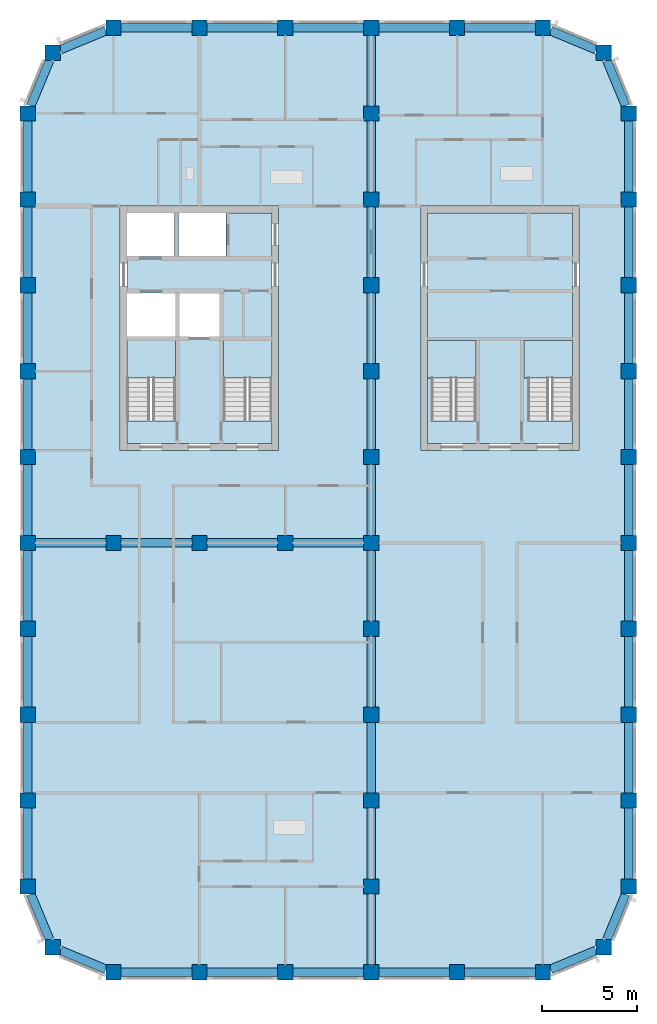
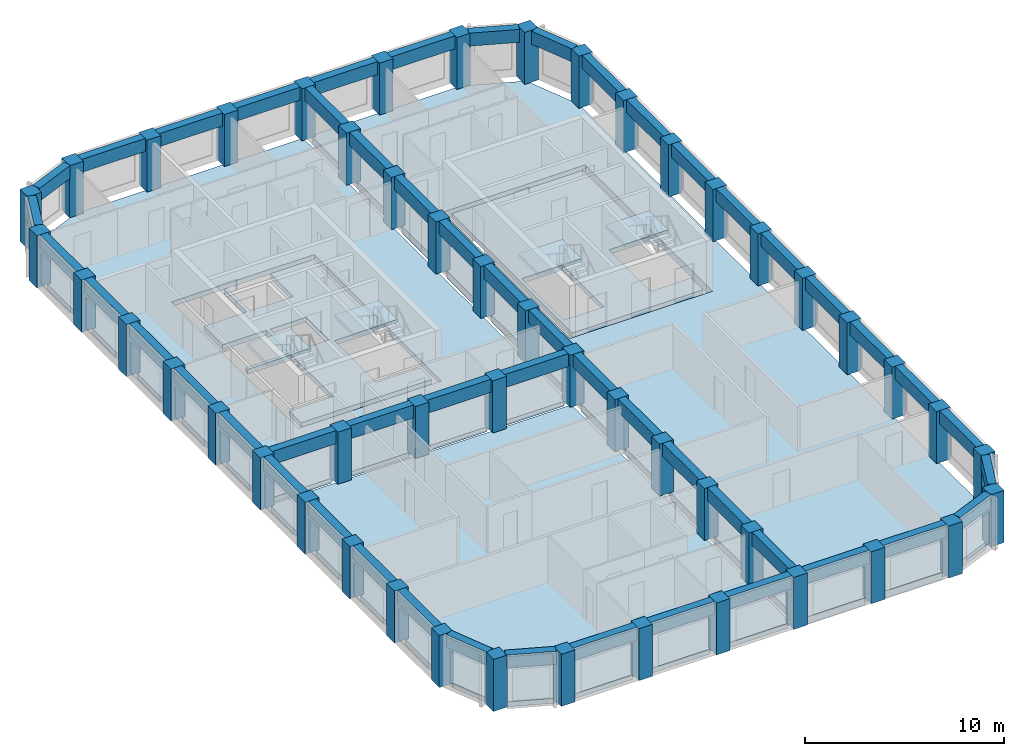
# One storey, part 1 of 9: 51 beams, 49 columns, 9 slabs, 4 elements without a shape of their own.
"""IFC4 building model written with IfcOpenShell, lengths in metres."""

from ifc_helpers import new_model, si_unit, direction, frame, origin, origin_2d, place, context, subcontext, project, spatial, polyline, rectangle, outline, extrude, material, layer, layer_set, material_profile, profile_set, type_object, element, aggregate, save


model = new_model("IFC4")

# Units and contexts
model_context = context("Model", 3, precision=1e-05, world=origin(), true_north=direction((0.0, 1.0)))
body_context = subcontext(model_context, "Body", "Model", "MODEL_VIEW")
ifc_project = project(units=[si_unit("LENGTHUNIT", "METRE"), si_unit("AREAUNIT", "SQUARE_METRE"), si_unit("VOLUMEUNIT", "CUBIC_METRE"), si_unit("PLANEANGLEUNIT", "RADIAN"), si_unit("MASSUNIT", "GRAM", prefix="KILO")], contexts=[model_context])

# Site, building, storey
site_placement = place(None, origin())
site = spatial("IfcSite", under=ifc_project, at=site_placement, CompositionType="ELEMENT")
building_placement = place(site_placement, origin())
building = spatial("IfcBuilding", under=site, at=building_placement, Name="Girih Gate Residences", CompositionType="ELEMENT")
storey_placement = place(building_placement, frame((0.0, 0.0, 206.89501953125)))
storey = spatial("IfcBuildingStorey", under=building, at=storey_placement, Name="L57", CompositionType="ELEMENT", Elevation=206.89501953125)

# Columns
ifc_material_1 = material(Name="Concrete C60/75", Category="concrete")
ifc_material_profile_1 = material_profile(ifc_material_1, rectangle(XDim=0.800048828125, YDim=0.800048828125, at=origin_2d()))
ifc_profile_set_1 = profile_set([ifc_material_profile_1], Name="Concrete C60/75")
column_type = type_object("IfcColumnType", Name="Pier RC 800x800 Concrete C60/75", PredefinedType="COLUMN", material=ifc_profile_set_1)
for number, where, z_axis, x_axis, name in (
    (1, (4.5, 0.0, 0.0), (0.0, 0.0, 1.0), (1.0, 0.0, 0.0), "Pier P2A L57"),
    (2, (9.0, 0.0, 0.0), (0.0, 0.0, 1.0), (1.0, 0.0, 0.0), "Pier P3A L57"),
    (3, (13.5, 0.0, 0.0), (0.0, 0.0, 1.0), (1.0, 0.0, 0.0), "Pier P4A L57"),
    (4, (18.0, 0.0, 0.0), (0.0, 0.0, 1.0), (1.0, 0.0, 0.0), "Pier P5A L57"),
    (5, (22.5, 0.0, 0.0), (0.0, 0.0, 1.0), (1.0, 0.0, 0.0), "Pier P6A L57"),
    (6, (27.0, 0.0, 0.0), (0.0, 0.0, 1.0), (1.0, 0.0, 0.0), "Pier P7A L57"),
    (7, (1.318115234375, 1.318115234375, 0.0), (0.0, 0.0, 1.0), (1.0, 0.0, 0.0), "Pier P1ANE L57"),
    (8, (30.181884765625, 1.318115234375, 0.0), (0.0, 0.0, 1.0), (1.0, 0.0, 0.0), "Pier P8ANW L57"),
    (9, (0.0, 4.5, 0.0), (0.0, 0.0, 1.0), (1.0, 0.0, 0.0), "Pier P1B L57"),
    (10, (18.0, 4.5, 0.0), (0.0, 0.0, 1.0), (1.0, 0.0, 0.0), "Pier P5B L57"),
    (11, (31.5, 4.5, 0.0), (0.0, 0.0, 1.0), (1.0, 0.0, 0.0), "Pier P8B L57"),
    (12, (0.0, 9.0, 0.0), (0.0, 0.0, 1.0), (1.0, 0.0, 0.0), "Pier P1C L57"),
    (13, (18.0, 9.0, 0.0), (0.0, 0.0, 1.0), (1.0, 0.0, 0.0), "Pier P5C L57"),
    (14, (31.5, 9.0, 0.0), (0.0, 0.0, 1.0), (1.0, 0.0, 0.0), "Pier P8C L57"),
    (15, (0.0, 13.5, 0.0), (0.0, 0.0, 1.0), (1.0, 0.0, 0.0), "Pier P1D L57"),
    (16, (18.0, 13.5, 0.0), (0.0, 0.0, 1.0), (1.0, 0.0, 0.0), "Pier P5D L57"),
    (17, (31.5, 13.5, 0.0), (0.0, 0.0, 1.0), (1.0, 0.0, 0.0), "Pier P8D L57"),
    (18, (0.0, 18.0, 0.0), (0.0, 0.0, 1.0), (1.0, 0.0, 0.0), "Pier P1E L57"),
    (19, (18.0, 18.0, 0.0), (0.0, 0.0, 1.0), (1.0, 0.0, 0.0), "Pier P5E L57"),
    (20, (31.5, 18.0, 0.0), (0.0, 0.0, 1.0), (1.0, 0.0, 0.0), "Pier P8E L57"),
    (21, (0.0, 22.5, 0.0), (0.0, 0.0, 1.0), (1.0, 0.0, 0.0), "Pier P1F L57"),
    (22, (4.5, 22.5, 0.0), (0.0, 0.0, 1.0), (1.0, 0.0, 0.0), "Pier P2F L57"),
    (23, (9.0, 22.5, 0.0), (0.0, 0.0, 1.0), (1.0, 0.0, 0.0), "Pier P3F L57"),
    (24, (13.5, 22.5, 0.0), (0.0, 0.0, 1.0), (1.0, 0.0, 0.0), "Pier P4F L57"),
    (25, (18.0, 22.5, 0.0), (0.0, 0.0, 1.0), (1.0, 0.0, 0.0), "Pier P5F L57"),
    (26, (31.5, 22.5, 0.0), (0.0, 0.0, 1.0), (1.0, 0.0, 0.0), "Pier P8F L57"),
    (27, (0.0, 27.0, 0.0), (0.0, 0.0, 1.0), (1.0, 0.0, 0.0), "Pier P1G L57"),
    (28, (18.0, 27.0, 0.0), (0.0, 0.0, 1.0), (1.0, 0.0, 0.0), "Pier P5G L57"),
    (29, (31.5, 27.0, 0.0), (0.0, 0.0, 1.0), (1.0, 0.0, 0.0), "Pier P8G L57"),
    (30, (0.0, 31.5, 0.0), (0.0, 0.0, 1.0), (1.0, 0.0, 0.0), "Pier P1H L57"),
    (31, (18.0, 31.5, 0.0), (0.0, 0.0, 1.0), (1.0, 0.0, 0.0), "Pier P5H L57"),
    (32, (31.5, 31.5, 0.0), (0.0, 0.0, 1.0), (1.0, 0.0, 0.0), "Pier P8H L57"),
    (33, (0.0, 36.0, 0.0), (0.0, 0.0, 1.0), (1.0, 0.0, 0.0), "Pier P1I L57"),
    (34, (18.0, 36.0, 0.0), (0.0, 0.0, 1.0), (1.0, 0.0, 0.0), "Pier P5I L57"),
    (35, (31.5, 36.0, 0.0), (0.0, 0.0, 1.0), (1.0, 0.0, 0.0), "Pier P8I L57"),
    (36, (0.0, 40.5, 0.0), (0.0, 0.0, 1.0), (1.0, 0.0, 0.0), "Pier P1J L57"),
    (37, (18.0, 40.5, 0.0), (0.0, 0.0, 1.0), (1.0, 0.0, 0.0), "Pier P5J L57"),
    (38, (31.5, 40.5, 0.0), (0.0, 0.0, 1.0), (1.0, 0.0, 0.0), "Pier P8J L57"),
    (39, (0.0, 45.0, 0.0), (0.0, 0.0, 1.0), (1.0, 0.0, 0.0), "Pier P1K L57"),
    (40, (18.0, 45.0, 0.0), (0.0, 0.0, 1.0), (1.0, 0.0, 0.0), "Pier P5K L57"),
    (41, (31.5, 45.0, 0.0), (0.0, 0.0, 1.0), (1.0, 0.0, 0.0), "Pier P8K L57"),
    (42, (1.318115234375, 48.181884765625, 0.0), (0.0, 0.0, 1.0), (1.0, 0.0, 0.0), "Pier P1LSE L57"),
    (43, (30.181884765625, 48.181884765625, 0.0), (0.0, 0.0, 1.0), (1.0, 0.0, 0.0), "Pier P8LSW L57"),
    (44, (4.5, 49.5, 0.0), (0.0, 0.0, 1.0), (1.0, 0.0, 0.0), "Pier P2L L57"),
    (45, (9.0, 49.5, 0.0), (0.0, 0.0, 1.0), (1.0, 0.0, 0.0), "Pier P3L L57"),
    (46, (13.5, 49.5, 0.0), (0.0, 0.0, 1.0), (1.0, 0.0, 0.0), "Pier P4L L57"),
    (47, (18.0, 49.5, 0.0), (0.0, 0.0, 1.0), (1.0, 0.0, 0.0), "Pier P5L L57"),
    (48, (22.5, 49.5, 0.0), (0.0, 0.0, 1.0), (1.0, 0.0, 0.0), "Pier P6L L57"),
    (49, (27.0, 49.5, 0.0), (0.0, 0.0, 1.0), (1.0, 0.0, 0.0), "Pier P7L L57"),
):
    element("IfcColumn", number, at=place(storey_placement, frame(where, z_axis=z_axis, x_axis=x_axis)), inside=storey, type_object=column_type, Name=name, PredefinedType="COLUMN", context=body_context, shape_type="SweptSolid", body=[
        extrude(rectangle(XDim=0.800048828125, YDim=0.800048828125, at=origin_2d()), origin(), (0.0, 0.0, 1.0), 3.199951171875),
    ])

# Beams
ifc_material_profile_2 = material_profile(ifc_material_1, rectangle(XDim=0.449951171875, YDim=0.800048828125, at=origin_2d()))
ifc_profile_set_2 = profile_set([ifc_material_profile_2], Name="Concrete C60/75")
beam_type = type_object("IfcBeamType", Name="Spandrel girder RC 450x800 Concrete C60/75", PredefinedType="BEAM", material=ifc_profile_set_2)
for number, where, z_axis, x_axis, name in (
    (50, (27.39990234375, 0.165771484375, 2.800048828125), (0.923895659062, 0.382644497107, 0.0), (-0.382644497107, 0.923895659062, 0.0), "Spandrel girder SP-P7A-P8ANW L57"),
    (51, (30.34765625, 1.718017578125, 2.800048828125), (0.382644497107, 0.923895659062, 0.0), (-0.923895659062, 0.382644497107, 0.0), "Spandrel girder SP-P8ANW-P8B L57"),
):
    element("IfcBeam", number, at=place(storey_placement, frame(where, z_axis=z_axis, x_axis=x_axis)), inside=storey, type_object=beam_type, Name=name, PredefinedType="BEAM", context=body_context, shape_type="SweptSolid", body=[
        extrude(rectangle(XDim=0.449951171875, YDim=0.800048828125, at=origin_2d()), origin(), (0.0, 0.0, 1.0), 2.578369140625),
    ])
for number, where, z_axis, x_axis, name in (
    (52, (31.5, 4.89990234375, 2.800048828125), (0.0, 1.0, 0.0), (-1.0, 0.0, 0.0), "Spandrel girder SP-P8B-P8C L57"),
    (53, (31.5, 9.39990234375, 2.800048828125), (0.0, 1.0, 0.0), (-1.0, 0.0, 0.0), "Spandrel girder SP-P8C-P8D L57"),
    (54, (31.5, 13.89990234375, 2.800048828125), (0.0, 1.0, 0.0), (-1.0, 0.0, 0.0), "Spandrel girder SP-P8D-P8E L57"),
    (55, (31.5, 18.39990234375, 2.800048828125), (0.0, 1.0, 0.0), (-1.0, 0.0, 0.0), "Spandrel girder SP-P8E-P8F L57"),
    (56, (31.5, 22.89990234375, 2.800048828125), (0.0, 1.0, 0.0), (-1.0, 0.0, 0.0), "Spandrel girder SP-P8F-P8G L57"),
    (57, (31.5, 27.39990234375, 2.800048828125), (0.0, 1.0, 0.0), (-1.0, 0.0, 0.0), "Spandrel girder SP-P8G-P8H L57"),
    (58, (31.5, 31.89990234375, 2.800048828125), (0.0, 1.0, 0.0), (-1.0, 0.0, 0.0), "Spandrel girder SP-P8H-P8I L57"),
    (59, (31.5, 36.39990234375, 2.800048828125), (0.0, 1.0, 0.0), (-1.0, 0.0, 0.0), "Spandrel girder SP-P8I-P8J L57"),
    (60, (31.5, 40.89990234375, 2.800048828125), (0.0, 1.0, 0.0), (-1.0, 0.0, 0.0), "Spandrel girder SP-P8J-P8K L57"),
):
    element("IfcBeam", number, at=place(storey_placement, frame(where, z_axis=z_axis, x_axis=x_axis)), inside=storey, type_object=beam_type, Name=name, PredefinedType="BEAM", context=body_context, shape_type="SweptSolid", body=[
        extrude(rectangle(XDim=0.449951171875, YDim=0.800048828125, at=origin_2d()), origin(), (0.0, 0.0, 1.0), 3.7001953125),
    ])
for number, where, z_axis, x_axis, name in (
    (61, (31.334228515625, 45.39990234375, 2.800048828125), (-0.382644497107, 0.923895659062, 0.0), (-0.923895659062, -0.382644497107, 0.0), "Spandrel girder SP-P8K-P8LSW L57"),
    (62, (29.781982421875, 48.34765625, 2.800048828125), (-0.923895659062, 0.382644497107, 0.0), (-0.382644497107, -0.923895659062, 0.0), "Spandrel girder SP-P8LSW-P7L L57"),
):
    element("IfcBeam", number, at=place(storey_placement, frame(where, z_axis=z_axis, x_axis=x_axis)), inside=storey, type_object=beam_type, Name=name, PredefinedType="BEAM", context=body_context, shape_type="SweptSolid", body=[
        extrude(rectangle(XDim=0.449951171875, YDim=0.800048828125, at=origin_2d()), origin(), (0.0, 0.0, 1.0), 2.578369140625),
    ])
for number, where, z_axis, x_axis, name in (
    (63, (26.60009765625, 49.5, 2.800048828125), (-1.0, 0.0, 0.0), (0.0, -1.0, 0.0), "Spandrel girder SP-P7L-P6L L57"),
    (64, (22.10009765625, 49.5, 2.800048828125), (-1.0, 0.0, 0.0), (0.0, -1.0, 0.0), "Spandrel girder SP-P6L-P5L L57"),
    (65, (17.60009765625, 49.5, 2.800048828125), (-1.0, 0.0, 0.0), (0.0, -1.0, 0.0), "Spandrel girder SP-P5L-P4L L57"),
    (66, (13.10009765625, 49.5, 2.800048828125), (-1.0, 0.0, 0.0), (0.0, -1.0, 0.0), "Spandrel girder SP-P4L-P3L L57"),
    (67, (8.60009765625, 49.5, 2.800048828125), (-1.0, 0.0, 0.0), (0.0, -1.0, 0.0), "Spandrel girder SP-P3L-P2L L57"),
):
    element("IfcBeam", number, at=place(storey_placement, frame(where, z_axis=z_axis, x_axis=x_axis)), inside=storey, type_object=beam_type, Name=name, PredefinedType="BEAM", context=body_context, shape_type="SweptSolid", body=[
        extrude(rectangle(XDim=0.449951171875, YDim=0.800048828125, at=origin_2d()), origin(), (0.0, 0.0, 1.0), 3.7001953125),
    ])
for number, where, z_axis, x_axis, name in (
    (68, (4.10009765625, 49.334228515625, 2.800048828125), (-0.923895659062, -0.382644497107, 0.0), (0.382644497107, -0.923895659062, 0.0), "Spandrel girder SP-P2L-P1LSE L57"),
    (69, (1.15234375, 47.781982421875, 2.800048828125), (-0.382644497107, -0.923895659062, 0.0), (0.923895659062, -0.382644497107, 0.0), "Spandrel girder SP-P1LSE-P1K L57"),
):
    element("IfcBeam", number, at=place(storey_placement, frame(where, z_axis=z_axis, x_axis=x_axis)), inside=storey, type_object=beam_type, Name=name, PredefinedType="BEAM", context=body_context, shape_type="SweptSolid", body=[
        extrude(rectangle(XDim=0.449951171875, YDim=0.800048828125, at=origin_2d()), origin(), (0.0, 0.0, 1.0), 2.578369140625),
    ])
for number, where, z_axis, x_axis, name in (
    (70, (0.0, 44.60009765625, 2.800048828125), (0.0, -1.0, 0.0), (1.0, 0.0, 0.0), "Spandrel girder SP-P1K-P1J L57"),
    (71, (0.0, 40.10009765625, 2.800048828125), (0.0, -1.0, 0.0), (1.0, 0.0, 0.0), "Spandrel girder SP-P1J-P1I L57"),
    (72, (0.0, 35.60009765625, 2.800048828125), (0.0, -1.0, 0.0), (1.0, 0.0, 0.0), "Spandrel girder SP-P1I-P1H L57"),
    (73, (0.0, 31.10009765625, 2.800048828125), (0.0, -1.0, 0.0), (1.0, 0.0, 0.0), "Spandrel girder SP-P1H-P1G L57"),
    (74, (0.0, 26.60009765625, 2.800048828125), (0.0, -1.0, 0.0), (1.0, 0.0, 0.0), "Spandrel girder SP-P1G-P1F L57"),
    (75, (0.0, 22.10009765625, 2.800048828125), (0.0, -1.0, 0.0), (1.0, 0.0, 0.0), "Spandrel girder SP-P1F-P1E L57"),
    (76, (0.0, 17.60009765625, 2.800048828125), (0.0, -1.0, 0.0), (1.0, 0.0, 0.0), "Spandrel girder SP-P1E-P1D L57"),
    (77, (0.0, 13.10009765625, 2.800048828125), (0.0, -1.0, 0.0), (1.0, 0.0, 0.0), "Spandrel girder SP-P1D-P1C L57"),
    (78, (0.0, 8.60009765625, 2.800048828125), (0.0, -1.0, 0.0), (1.0, 0.0, 0.0), "Spandrel girder SP-P1C-P1B L57"),
):
    element("IfcBeam", number, at=place(storey_placement, frame(where, z_axis=z_axis, x_axis=x_axis)), inside=storey, type_object=beam_type, Name=name, PredefinedType="BEAM", context=body_context, shape_type="SweptSolid", body=[
        extrude(rectangle(XDim=0.449951171875, YDim=0.800048828125, at=origin_2d()), origin(), (0.0, 0.0, 1.0), 3.7001953125),
    ])
for number, where, z_axis, x_axis, name in (
    (79, (0.165771484375, 4.10009765625, 2.800048828125), (0.382644497107, -0.923895659062, 0.0), (0.923895659062, 0.382644497107, 0.0), "Spandrel girder SP-P1B-P1ANE L57"),
    (80, (1.718017578125, 1.15234375, 2.800048828125), (0.923895659062, -0.382644497107, 0.0), (0.382644497107, 0.923895659062, 0.0), "Spandrel girder SP-P1ANE-P2A L57"),
):
    element("IfcBeam", number, at=place(storey_placement, frame(where, z_axis=z_axis, x_axis=x_axis)), inside=storey, type_object=beam_type, Name=name, PredefinedType="BEAM", context=body_context, shape_type="SweptSolid", body=[
        extrude(rectangle(XDim=0.449951171875, YDim=0.800048828125, at=origin_2d()), origin(), (0.0, 0.0, 1.0), 2.578369140625),
    ])
for number, where, z_axis, x_axis, name in (
    (81, (4.89990234375, 0.0, 2.800048828125), (1.0, 0.0, 0.0), (0.0, 1.0, 0.0), "Spandrel girder SP-P2A-P3A L57"),
    (82, (9.39990234375, 0.0, 2.800048828125), (1.0, 0.0, 0.0), (0.0, 1.0, 0.0), "Spandrel girder SP-P3A-P4A L57"),
    (83, (13.89990234375, 0.0, 2.800048828125), (1.0, 0.0, 0.0), (0.0, 1.0, 0.0), "Spandrel girder SP-P4A-P5A L57"),
    (84, (18.39990234375, 0.0, 2.800048828125), (1.0, 0.0, 0.0), (0.0, 1.0, 0.0), "Spandrel girder SP-P5A-P6A L57"),
    (85, (22.89990234375, 0.0, 2.800048828125), (1.0, 0.0, 0.0), (0.0, 1.0, 0.0), "Spandrel girder SP-P6A-P7A L57"),
    (86, (18.0, 0.39990234375, 2.800048828125), (0.0, 1.0, 0.0), (-1.0, 0.0, 0.0), "Spandrel girder SP-P5A-P5B L57"),
    (87, (18.0, 4.89990234375, 2.800048828125), (0.0, 1.0, 0.0), (-1.0, 0.0, 0.0), "Spandrel girder SP-P5B-P5C L57"),
    (88, (18.0, 9.39990234375, 2.800048828125), (0.0, 1.0, 0.0), (-1.0, 0.0, 0.0), "Spandrel girder SP-P5C-P5D L57"),
    (89, (18.0, 13.89990234375, 2.800048828125), (0.0, 1.0, 0.0), (-1.0, 0.0, 0.0), "Spandrel girder SP-P5D-P5E L57"),
    (90, (18.0, 18.39990234375, 2.800048828125), (0.0, 1.0, 0.0), (-1.0, 0.0, 0.0), "Spandrel girder SP-P5E-P5F L57"),
    (91, (18.0, 22.89990234375, 2.800048828125), (0.0, 1.0, 0.0), (-1.0, 0.0, 0.0), "Spandrel girder SP-P5F-P5G L57"),
    (92, (18.0, 27.39990234375, 2.800048828125), (0.0, 1.0, 0.0), (-1.0, 0.0, 0.0), "Spandrel girder SP-P5G-P5H L57"),
    (93, (18.0, 31.89990234375, 2.800048828125), (0.0, 1.0, 0.0), (-1.0, 0.0, 0.0), "Spandrel girder SP-P5H-P5I L57"),
    (94, (18.0, 36.39990234375, 2.800048828125), (0.0, 1.0, 0.0), (-1.0, 0.0, 0.0), "Spandrel girder SP-P5I-P5J L57"),
    (95, (18.0, 40.89990234375, 2.800048828125), (0.0, 1.0, 0.0), (-1.0, 0.0, 0.0), "Spandrel girder SP-P5J-P5K L57"),
    (96, (18.0, 45.39990234375, 2.800048828125), (0.0, 1.0, 0.0), (-1.0, 0.0, 0.0), "Spandrel girder SP-P5K-P5L L57"),
    (97, (0.39990234375, 22.5, 2.800048828125), (1.0, 0.0, 0.0), (0.0, 1.0, 0.0), "Spandrel girder SP-P1F-P2F L57"),
    (98, (4.89990234375, 22.5, 2.800048828125), (1.0, 0.0, 0.0), (0.0, 1.0, 0.0), "Spandrel girder SP-P2F-P3F L57"),
    (99, (9.39990234375, 22.5, 2.800048828125), (1.0, 0.0, 0.0), (0.0, 1.0, 0.0), "Spandrel girder SP-P3F-P4F L57"),
    (100, (13.89990234375, 22.5, 2.800048828125), (1.0, 0.0, 0.0), (0.0, 1.0, 0.0), "Spandrel girder SP-P4F-P5F L57"),
):
    element("IfcBeam", number, at=place(storey_placement, frame(where, z_axis=z_axis, x_axis=x_axis)), inside=storey, type_object=beam_type, Name=name, PredefinedType="BEAM", context=body_context, shape_type="SweptSolid", body=[
        extrude(rectangle(XDim=0.449951171875, YDim=0.800048828125, at=origin_2d()), origin(), (0.0, 0.0, 1.0), 3.7001953125),
    ])

# Slabs
ifc_material_2 = material(Name="Concrete C40/50", Category="concrete")
ifc_layer_1 = layer(ifc_material_2, 0.300048828125)
ifc_layer_set_1 = layer_set([ifc_layer_1], Name="Core floor slab 300")
slab_type_1 = type_object("IfcSlabType", Name="Core floor slab 300", PredefinedType="FLOOR", material=ifc_layer_set_1)
slab_1_placement = place(storey_placement, frame((0.0, 0.0, -0.300048828125)))
element("IfcSlab", 101, at=slab_1_placement, inside=storey, type_object=slab_type_1, Name="L57 W core floor", PredefinedType="FLOOR", context=body_context, shape_type="SweptSolid", body=[
    extrude(outline(polyline([(12.800048828125, 27.699951171875), (5.199951171875, 27.699951171875), (5.199951171875, 28.900634765625), (7.75, 28.900634765625), (7.75, 33.10009765625), (5.199951171875, 33.10009765625), (5.199951171875, 33.300048828125), (7.75, 33.300048828125), (7.75, 35.60009765625), (5.199951171875, 35.60009765625), (5.199951171875, 37.5), (7.699951171875, 37.5), (7.699951171875, 39.800048828125), (7.89990234375, 39.800048828125), (7.89990234375, 37.5), (10.39990234375, 37.5), (10.39990234375, 39.800048828125), (12.800048828125, 39.800048828125), (12.800048828125, 33.10009765625), (10.25, 33.10009765625), (10.25, 28.900634765625), (12.800048828125, 28.900634765625), (12.800048828125, 27.699951171875)]), holes=[polyline([(7.949951171875, 33.300048828125), (10.050048828125, 33.300048828125), (10.050048828125, 35.60009765625), (7.949951171875, 35.60009765625), (7.949951171875, 33.300048828125)])]), origin(), (0.0, 0.0, 1.0), 0.300048828125),
])
slab_2_placement = place(storey_placement, frame((0.0, 0.0, -0.300048828125)))
element("IfcSlab", 102, at=slab_2_placement, inside=storey, type_object=slab_type_1, Name="L57 C core floor", PredefinedType="FLOOR", context=body_context, shape_type="SweptSolid", body=[
    extrude(outline(polyline([(28.550048828125, 27.699951171875), (20.949951171875, 27.699951171875), (20.949951171875, 39.800048828125), (28.550048828125, 39.800048828125), (28.550048828125, 33.10009765625), (26.199951171875, 33.10009765625), (26.199951171875, 28.900634765625), (28.550048828125, 28.900634765625), (28.550048828125, 27.699951171875)]), holes=[polyline([(23.5, 28.900634765625), (23.5, 33.10009765625), (21.14990234375, 33.10009765625), (21.14990234375, 28.900634765625), (23.5, 28.900634765625)])]), origin(), (0.0, 0.0, 1.0), 0.300048828125),
])
ifc_layer_2 = layer(ifc_material_2, 0.300048828125)
ifc_layer_set_2 = layer_set([ifc_layer_2], Name="Floor slab PT 300 Concrete C40/50")
slab_type_2 = type_object("IfcSlabType", Name="Floor slab PT 300 Concrete C40/50", PredefinedType="FLOOR", material=ifc_layer_set_2)
slab_3_placement = place(storey_placement, frame((0.0, 0.0, -0.300048828125)))
element("IfcSlab", 103, at=slab_3_placement, inside=storey, type_object=slab_type_2, Name="Floor slab L57 0", PredefinedType="FLOOR", context=body_context, shape_type="SweptSolid", body=[
    extrude(outline(polyline([(13.89990234375, 0.22509765625), (17.60009765625, 0.22509765625), (17.60009765625, 0.39990234375), (17.77490234375, 0.39990234375), (17.77490234375, 4.10009765625), (17.60009765625, 4.10009765625), (17.60009765625, 4.89990234375), (17.77490234375, 4.89990234375), (17.77490234375, 8.60009765625), (17.60009765625, 8.60009765625), (17.60009765625, 9.39990234375), (17.77490234375, 9.39990234375), (17.77490234375, 13.10009765625), (17.60009765625, 13.10009765625), (17.60009765625, 13.89990234375), (17.77490234375, 13.89990234375), (17.77490234375, 17.60009765625), (17.60009765625, 17.60009765625), (17.60009765625, 18.39990234375), (17.77490234375, 18.39990234375), (17.77490234375, 22.10009765625), (17.60009765625, 22.10009765625), (17.60009765625, 22.27490234375), (13.89990234375, 22.27490234375), (13.89990234375, 22.10009765625), (13.10009765625, 22.10009765625), (13.10009765625, 22.27490234375), (9.39990234375, 22.27490234375), (9.39990234375, 22.10009765625), (8.60009765625, 22.10009765625), (8.60009765625, 22.27490234375), (4.89990234375, 22.27490234375), (4.89990234375, 22.10009765625), (4.10009765625, 22.10009765625), (4.10009765625, 22.27490234375), (0.39990234375, 22.27490234375), (0.39990234375, 22.10009765625), (0.22509765625, 22.10009765625), (0.22509765625, 18.39990234375), (0.39990234375, 18.39990234375), (0.39990234375, 17.60009765625), (0.22509765625, 17.60009765625), (0.22509765625, 13.89990234375), (0.39990234375, 13.89990234375), (0.39990234375, 13.10009765625), (0.22509765625, 13.10009765625), (0.22509765625, 9.39990234375), (0.39990234375, 9.39990234375), (0.39990234375, 8.60009765625), (0.22509765625, 8.60009765625), (0.22509765625, 4.89990234375), (0.39990234375, 4.89990234375), (0.39990234375, 4.122314453125), (1.395751953125, 1.718017578125), (1.718017578125, 1.718017578125), (1.718017578125, 1.395751953125), (4.122314453125, 0.39990234375), (4.89990234375, 0.39990234375), (4.89990234375, 0.22509765625), (8.60009765625, 0.22509765625), (8.60009765625, 0.39990234375), (9.39990234375, 0.39990234375), (9.39990234375, 0.22509765625), (13.10009765625, 0.22509765625), (13.10009765625, 0.39990234375), (13.89990234375, 0.39990234375), (13.89990234375, 0.22509765625)])), origin(), (0.0, 0.0, 1.0), 0.300048828125),
])
slab_4_placement = place(storey_placement, frame((0.0, 0.0, -0.300048828125)))
element("IfcSlab", 104, at=slab_4_placement, inside=storey, type_object=slab_type_2, Name="Floor slab L57 2", PredefinedType="FLOOR", context=body_context, shape_type="SweptSolid", body=[
    extrude(outline(polyline([(0.22509765625, 26.60009765625), (0.22509765625, 22.89990234375), (0.39990234375, 22.89990234375), (0.39990234375, 22.72509765625), (4.10009765625, 22.72509765625), (4.10009765625, 22.89990234375), (4.89990234375, 22.89990234375), (4.89990234375, 22.72509765625), (8.60009765625, 22.72509765625), (8.60009765625, 22.89990234375), (9.39990234375, 22.89990234375), (9.39990234375, 22.72509765625), (13.10009765625, 22.72509765625), (13.10009765625, 22.89990234375), (13.89990234375, 22.89990234375), (13.89990234375, 22.72509765625), (17.60009765625, 22.72509765625), (17.60009765625, 22.89990234375), (17.77490234375, 22.89990234375), (17.77490234375, 26.60009765625), (17.60009765625, 26.60009765625), (17.60009765625, 27.39990234375), (17.77490234375, 27.39990234375), (17.77490234375, 31.10009765625), (17.60009765625, 31.10009765625), (17.60009765625, 31.89990234375), (17.77490234375, 31.89990234375), (17.77490234375, 35.60009765625), (17.60009765625, 35.60009765625), (17.60009765625, 36.39990234375), (17.77490234375, 36.39990234375), (17.77490234375, 40.10009765625), (17.60009765625, 40.10009765625), (17.60009765625, 40.89990234375), (17.77490234375, 40.89990234375), (17.77490234375, 44.60009765625), (17.60009765625, 44.60009765625), (17.60009765625, 45.39990234375), (17.77490234375, 45.39990234375), (17.77490234375, 49.10009765625), (17.60009765625, 49.10009765625), (17.60009765625, 49.27490234375), (13.89990234375, 49.27490234375), (13.89990234375, 49.10009765625), (13.10009765625, 49.10009765625), (13.10009765625, 49.27490234375), (9.39990234375, 49.27490234375), (9.39990234375, 49.10009765625), (8.60009765625, 49.10009765625), (8.60009765625, 49.27490234375), (4.89990234375, 49.27490234375), (4.89990234375, 49.10009765625), (4.122314453125, 49.10009765625), (1.718017578125, 48.104248046875), (1.718017578125, 47.781982421875), (1.395751953125, 47.781982421875), (0.39990234375, 45.377685546875), (0.39990234375, 44.60009765625), (0.22509765625, 44.60009765625), (0.22509765625, 40.89990234375), (0.39990234375, 40.89990234375), (0.39990234375, 40.10009765625), (0.22509765625, 40.10009765625), (0.22509765625, 36.39990234375), (0.39990234375, 36.39990234375), (0.39990234375, 35.60009765625), (0.22509765625, 35.60009765625), (0.22509765625, 31.89990234375), (0.39990234375, 31.89990234375), (0.39990234375, 31.10009765625), (0.22509765625, 31.10009765625), (0.22509765625, 27.39990234375), (0.39990234375, 27.39990234375), (0.39990234375, 26.60009765625), (0.22509765625, 26.60009765625)]), holes=[polyline([(13.14990234375, 40.14990234375), (13.14990234375, 27.35009765625), (4.85009765625, 27.35009765625), (4.85009765625, 40.14990234375), (13.14990234375, 40.14990234375)])]), origin(), (0.0, 0.0, 1.0), 0.300048828125),
])
ifc_layer_3 = layer(ifc_material_2, 0.449951171875)
ifc_layer_set_3 = layer_set([ifc_layer_3], Name="Floor slab PT 450 Concrete C40/50")
slab_type_3 = type_object("IfcSlabType", Name="Floor slab PT 450 Concrete C40/50", PredefinedType="FLOOR", material=ifc_layer_set_3)
slab_5_placement = place(storey_placement, frame((0.0, 0.0, -0.449951171875)))
element("IfcSlab", 105, at=slab_5_placement, inside=storey, type_object=slab_type_3, Name="Floor slab L57 1", PredefinedType="FLOOR", context=body_context, shape_type="SweptSolid", body=[
    extrude(outline(polyline([(22.89990234375, 0.22509765625), (26.60009765625, 0.22509765625), (26.60009765625, 0.39990234375), (27.377685546875, 0.39990234375), (29.781982421875, 1.395751953125), (29.781982421875, 1.718017578125), (30.104248046875, 1.718017578125), (31.10009765625, 4.122314453125), (31.10009765625, 4.89990234375), (31.27490234375, 4.89990234375), (31.27490234375, 8.60009765625), (31.10009765625, 8.60009765625), (31.10009765625, 9.39990234375), (31.27490234375, 9.39990234375), (31.27490234375, 13.10009765625), (31.10009765625, 13.10009765625), (31.10009765625, 13.89990234375), (31.27490234375, 13.89990234375), (31.27490234375, 17.60009765625), (31.10009765625, 17.60009765625), (31.10009765625, 18.39990234375), (31.27490234375, 18.39990234375), (31.27490234375, 22.10009765625), (31.10009765625, 22.10009765625), (31.10009765625, 22.89990234375), (31.27490234375, 22.89990234375), (31.27490234375, 26.60009765625), (31.10009765625, 26.60009765625), (31.10009765625, 27.39990234375), (31.27490234375, 27.39990234375), (31.27490234375, 31.10009765625), (31.10009765625, 31.10009765625), (31.10009765625, 31.89990234375), (31.27490234375, 31.89990234375), (31.27490234375, 35.60009765625), (31.10009765625, 35.60009765625), (31.10009765625, 36.39990234375), (31.27490234375, 36.39990234375), (31.27490234375, 40.10009765625), (31.10009765625, 40.10009765625), (31.10009765625, 40.89990234375), (31.27490234375, 40.89990234375), (31.27490234375, 44.60009765625), (31.10009765625, 44.60009765625), (31.10009765625, 45.377685546875), (30.104248046875, 47.781982421875), (29.781982421875, 47.781982421875), (29.781982421875, 48.104248046875), (27.377685546875, 49.10009765625), (26.60009765625, 49.10009765625), (26.60009765625, 49.27490234375), (22.89990234375, 49.27490234375), (22.89990234375, 49.10009765625), (22.10009765625, 49.10009765625), (22.10009765625, 49.27490234375), (18.39990234375, 49.27490234375), (18.39990234375, 49.10009765625), (18.22509765625, 49.10009765625), (18.22509765625, 45.39990234375), (18.39990234375, 45.39990234375), (18.39990234375, 44.60009765625), (18.22509765625, 44.60009765625), (18.22509765625, 40.89990234375), (18.39990234375, 40.89990234375), (18.39990234375, 40.10009765625), (18.22509765625, 40.10009765625), (18.22509765625, 36.39990234375), (18.39990234375, 36.39990234375), (18.39990234375, 35.60009765625), (18.22509765625, 35.60009765625), (18.22509765625, 31.89990234375), (18.39990234375, 31.89990234375), (18.39990234375, 31.10009765625), (18.22509765625, 31.10009765625), (18.22509765625, 27.39990234375), (18.39990234375, 27.39990234375), (18.39990234375, 26.60009765625), (18.22509765625, 26.60009765625), (18.22509765625, 22.89990234375), (18.39990234375, 22.89990234375), (18.39990234375, 22.10009765625), (18.22509765625, 22.10009765625), (18.22509765625, 18.39990234375), (18.39990234375, 18.39990234375), (18.39990234375, 17.60009765625), (18.22509765625, 17.60009765625), (18.22509765625, 13.89990234375), (18.39990234375, 13.89990234375), (18.39990234375, 13.10009765625), (18.22509765625, 13.10009765625), (18.22509765625, 9.39990234375), (18.39990234375, 9.39990234375), (18.39990234375, 8.60009765625), (18.22509765625, 8.60009765625), (18.22509765625, 4.89990234375), (18.39990234375, 4.89990234375), (18.39990234375, 4.10009765625), (18.22509765625, 4.10009765625), (18.22509765625, 0.39990234375), (18.39990234375, 0.39990234375), (18.39990234375, 0.22509765625), (22.10009765625, 0.22509765625), (22.10009765625, 0.39990234375), (22.89990234375, 0.39990234375), (22.89990234375, 0.22509765625)]), holes=[polyline([(28.89990234375, 40.14990234375), (28.89990234375, 27.35009765625), (20.60009765625, 27.35009765625), (20.60009765625, 40.14990234375), (28.89990234375, 40.14990234375)])]), origin(), (0.0, 0.0, 1.0), 0.449951171875),
])

# Stair, slab
stair_type_1 = type_object("IfcStairType", Name="Exit stair", PredefinedType="HALF_TURN_STAIR", material=ifc_material_2)
stair_1_placement = place(storey_placement, origin())
stair_1 = element("IfcStair", 106, at=stair_1_placement, inside=storey, type_object=stair_type_1, Name="L57 Exit Stair ST-W1", PredefinedType="HALF_TURN_STAIR")
ifc_layer_4 = layer(ifc_material_2, 0.199951171875)
ifc_layer_set_4 = layer_set([ifc_layer_4], Name="Stair landing 200")
slab_type_4 = type_object("IfcSlabType", Name="Stair landing 200", PredefinedType="LANDING", material=ifc_layer_set_4)
slab_6_placement = place(storey_placement, frame((0.0, 0.0, 1.39990234375)))
slab_6 = element("IfcSlab", 107, at=slab_6_placement, type_object=slab_type_4, Name="ST-W1 landing 1", PredefinedType="LANDING", context=body_context, shape_type="SweptSolid", body=[
    extrude(outline(polyline([(7.75, 31.14990234375), (7.75, 33.10009765625), (5.199951171875, 33.10009765625), (5.199951171875, 31.14990234375), (7.75, 31.14990234375)])), origin(), (0.0, 0.0, 1.0), 0.2001953125),
])
aggregate(stair_1, [slab_6])

stair_2_placement = place(storey_placement, origin())
stair_2 = element("IfcStair", 108, at=stair_2_placement, inside=storey, type_object=stair_type_1, Name="L57 Exit Stair ST-W2", PredefinedType="HALF_TURN_STAIR")
slab_7_placement = place(storey_placement, frame((0.0, 0.0, 1.39990234375)))
slab_7 = element("IfcSlab", 109, at=slab_7_placement, type_object=slab_type_4, Name="ST-W2 landing 1", PredefinedType="LANDING", context=body_context, shape_type="SweptSolid", body=[
    extrude(outline(polyline([(12.800048828125, 31.14990234375), (12.800048828125, 33.10009765625), (10.25, 33.10009765625), (10.25, 31.14990234375), (12.800048828125, 31.14990234375)])), origin(), (0.0, 0.0, 1.0), 0.2001953125),
])
aggregate(stair_2, [slab_7])

stair_type_2 = type_object("IfcStairType", Name="Exit stair C core", PredefinedType="HALF_TURN_STAIR", material=ifc_material_2)
stair_3_placement = place(storey_placement, origin())
stair_3 = element("IfcStair", 110, at=stair_3_placement, inside=storey, type_object=stair_type_2, Name="L57 Exit Stair ST-C1", PredefinedType="HALF_TURN_STAIR")
slab_8_placement = place(storey_placement, frame((0.0, 0.0, 1.39990234375)))
slab_8 = element("IfcSlab", 111, at=slab_8_placement, type_object=slab_type_4, Name="ST-C1 landing 1", PredefinedType="LANDING", context=body_context, shape_type="SweptSolid", body=[
    extrude(outline(polyline([(23.5, 31.14990234375), (23.5, 33.10009765625), (20.949951171875, 33.10009765625), (20.949951171875, 31.14990234375), (23.5, 31.14990234375)])), origin(), (0.0, 0.0, 1.0), 0.2001953125),
])
aggregate(stair_3, [slab_8])

stair_4_placement = place(storey_placement, origin())
stair_4 = element("IfcStair", 112, at=stair_4_placement, inside=storey, type_object=stair_type_2, Name="L57 Exit Stair ST-C2", PredefinedType="HALF_TURN_STAIR")
slab_9_placement = place(storey_placement, frame((0.0, 0.0, 1.39990234375)))
slab_9 = element("IfcSlab", 113, at=slab_9_placement, type_object=slab_type_4, Name="ST-C2 landing 1", PredefinedType="LANDING", context=body_context, shape_type="SweptSolid", body=[
    extrude(outline(polyline([(28.550048828125, 31.14990234375), (28.550048828125, 33.10009765625), (26.0, 33.10009765625), (26.0, 31.14990234375), (28.550048828125, 31.14990234375)])), origin(), (0.0, 0.0, 1.0), 0.2001953125),
])
aggregate(stair_4, [slab_9])

save(model, "model.ifc")
